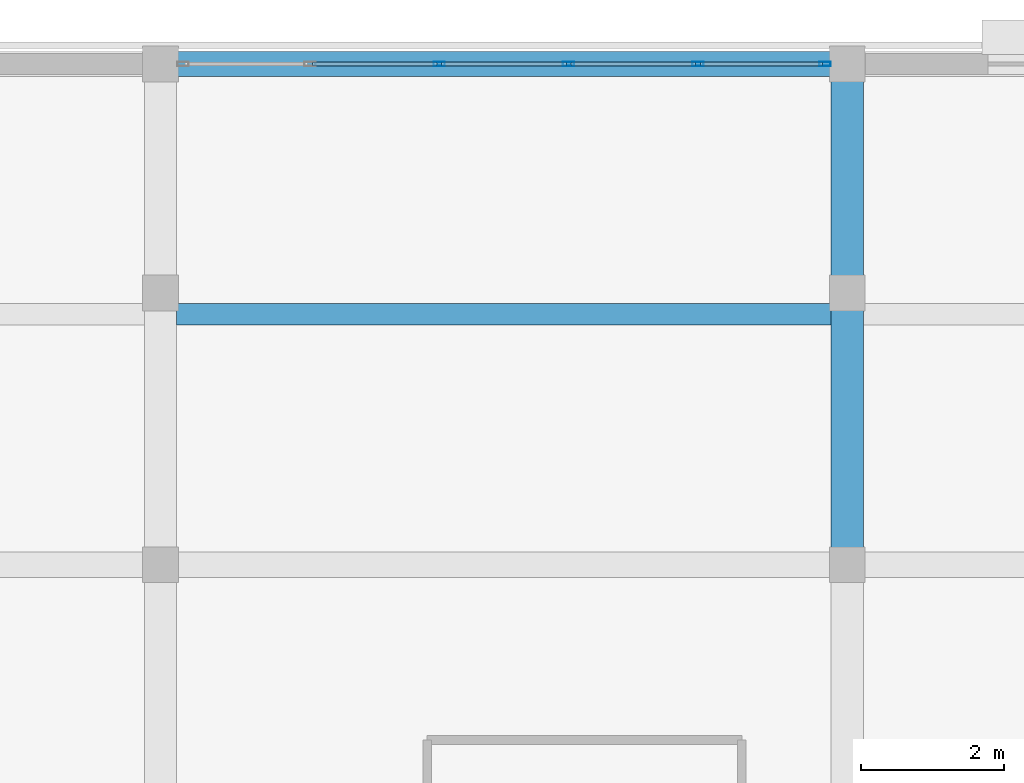
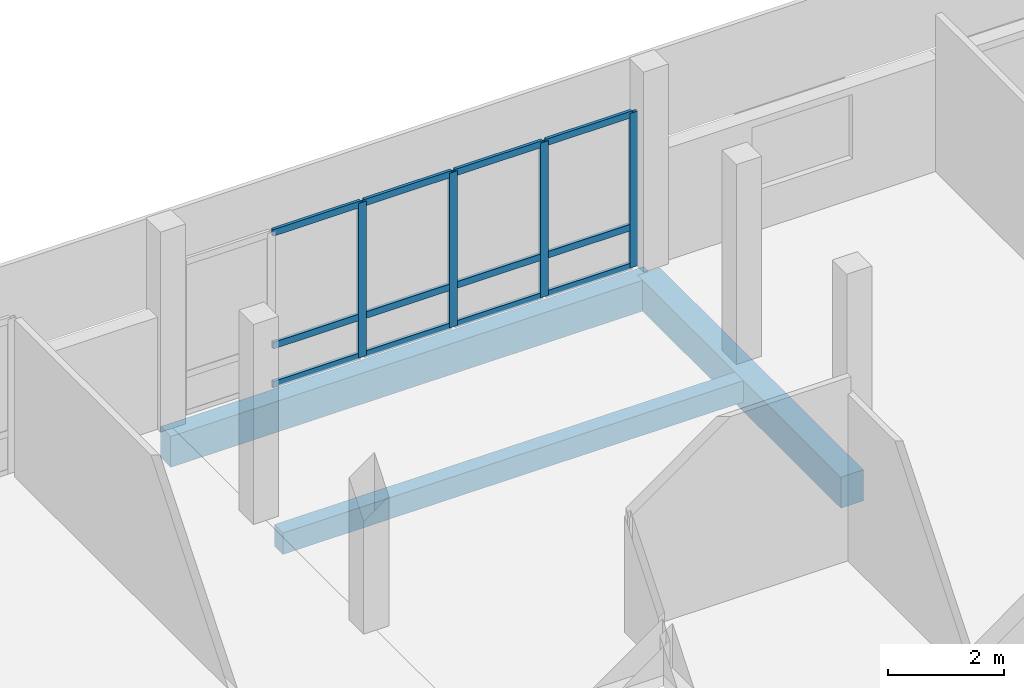
# One storey, part 16 of 29: 16 members, 3 beams, 1 element without a shape of its own.
"""IFC4 building model written with IfcOpenShell, lengths in metres."""

from ifc_helpers import new_model, si_unit, direction, frame, origin, origin_2d, place, context, subcontext, project, spatial, rectangle, hollow_rectangle, extrude, material, material_profile, profile_set, type_object, element, aggregate, save


model = new_model("IFC4")

# Units and contexts
model_context = context("Model", 3, precision=1e-05, world=origin(), true_north=direction((0.0, 1.0)))
body_context = subcontext(model_context, "Body", "Model", "MODEL_VIEW")
ifc_project = project(units=[si_unit("LENGTHUNIT", "METRE"), si_unit("AREAUNIT", "SQUARE_METRE"), si_unit("VOLUMEUNIT", "CUBIC_METRE"), si_unit("PLANEANGLEUNIT", "RADIAN"), si_unit("MASSUNIT", "GRAM", prefix="KILO")], contexts=[model_context])

# Site, building, storey
site_placement = place(None, origin())
site = spatial("IfcSite", under=ifc_project, at=site_placement, CompositionType="ELEMENT")
building_placement = place(site_placement, origin())
building = spatial("IfcBuilding", under=site, at=building_placement, Name="Vondelvale Polytechnic", CompositionType="ELEMENT")
storey_placement = place(building_placement, frame((0.0, 0.0, 26.39990234375)))
storey = spatial("IfcBuildingStorey", under=building, at=storey_placement, Name="L06", CompositionType="ELEMENT", Elevation=26.39990234375)

# Beam
ifc_material_1 = material(Name="Concrete N40 (f'c = 40 MPa)", Category="concrete")
ifc_material_profile_1 = material_profile(ifc_material_1, rectangle(XDim=0.449951171875, YDim=0.64990234375, at=origin_2d()), Name="RC-BM-450x650")
ifc_profile_set_1 = profile_set([ifc_material_profile_1], Name="Concrete N40 (f'c = 40 MPa)")
beam_type_1 = type_object("IfcBeamType", Name="BM-RC450x650", PredefinedType="BEAM", material=ifc_profile_set_1)
beam_1_placement = place(storey_placement, frame((28.800048828125, 30.60009765625, -0.5498046875), z_axis=(0.0, 1.0, 0.0), x_axis=(-1.0, 0.0, 0.0)))
element("IfcBeam", 1, at=beam_1_placement, inside=storey, type_object=beam_type_1, Name="L06 B B-04", PredefinedType="BEAM", context=body_context, shape_type="SweptSolid", body=[
    extrude(rectangle(XDim=0.449951171875, YDim=0.64990234375, at=origin_2d()), origin(), (0.0, 0.0, 1.0), 7.0),
])

# Curtain wall, members
ifc_material_2 = material(Name="Anodised extruded aluminium 6063-T6", Category="aluminium")
curtain_wall_type = type_object("IfcCurtainWallType", Name="CW-STUDIO-NORTH", PredefinedType="NOTDEFINED", material=ifc_material_2)
curtain_wall_placement = place(storey_placement, origin())
curtain_wall = element("IfcCurtainWall", 2, at=curtain_wall_placement, inside=storey, type_object=curtain_wall_type, Name="L06 architectural curtain wall CW-01-055", PredefinedType="NOTDEFINED")
ifc_material_profile_2 = material_profile(ifc_material_2, hollow_rectangle(XDim=0.06494140625, YDim=0.159912109375, WallThickness=0.0048828125, at=origin_2d()), Name="CW-MUL-160x65")
ifc_profile_set_2 = profile_set([ifc_material_profile_2], Name="Anodised extruded aluminium 6063-T6")
member_type_1 = type_object("IfcMemberType", Name="CW-MUL-65x160", PredefinedType="MULLION", material=ifc_profile_set_2)
member_1_placement = place(storey_placement, frame((23.095947265625, 37.60009765625, 0.0), z_axis=(0.0, 0.0, 1.0), x_axis=(0.0, 1.0, 0.0)))
member_1 = element("IfcMember", 3, at=member_1_placement, type_object=member_type_1, Name="CW-01-055 mullion 3", PredefinedType="MULLION", context=body_context, shape_type="SweptSolid", body=[
    extrude(hollow_rectangle(XDim=0.06494140625, YDim=0.159912109375, WallThickness=0.0048828125, at=origin_2d()), origin(), (0.0, 0.0, 1.0), 3.25),
])
member_2_placement = place(storey_placement, frame((24.904052734375, 37.60009765625, 0.0), z_axis=(0.0, 0.0, 1.0), x_axis=(0.0, 1.0, 0.0)))
member_2 = element("IfcMember", 4, at=member_2_placement, type_object=member_type_1, Name="CW-01-055 mullion 4", PredefinedType="MULLION", context=body_context, shape_type="SweptSolid", body=[
    extrude(hollow_rectangle(XDim=0.06494140625, YDim=0.159912109375, WallThickness=0.0048828125, at=origin_2d()), origin(), (0.0, 0.0, 1.0), 3.25),
])
member_3_placement = place(storey_placement, frame((26.7119140625, 37.60009765625, 0.0), z_axis=(0.0, 0.0, 1.0), x_axis=(0.0, 1.0, 0.0)))
member_3 = element("IfcMember", 5, at=member_3_placement, type_object=member_type_1, Name="CW-01-055 mullion 5", PredefinedType="MULLION", context=body_context, shape_type="SweptSolid", body=[
    extrude(hollow_rectangle(XDim=0.06494140625, YDim=0.159912109375, WallThickness=0.0048828125, at=origin_2d()), origin(), (0.0, 0.0, 1.0), 3.25),
])
member_4_placement = place(storey_placement, frame((28.487548828125, 37.60009765625, 0.0), z_axis=(0.0, 0.0, 1.0), x_axis=(0.0, 1.0, 0.0)))
member_4 = element("IfcMember", 6, at=member_4_placement, type_object=member_type_1, Name="CW-01-055 mullion 6", PredefinedType="MULLION", context=body_context, shape_type="SweptSolid", body=[
    extrude(hollow_rectangle(XDim=0.06494140625, YDim=0.159912109375, WallThickness=0.0048828125, at=origin_2d()), origin(), (0.0, 0.0, 1.0), 3.25),
])
ifc_material_profile_3 = material_profile(ifc_material_2, hollow_rectangle(XDim=0.06005859375, YDim=0.139892578125, WallThickness=0.00341796875, at=origin_2d()), Name="CW-TRN-140x60")
ifc_profile_set_3 = profile_set([ifc_material_profile_3], Name="Anodised extruded aluminium 6063-T6")
member_type_2 = type_object("IfcMemberType", Name="CW-TRN-60x140", PredefinedType="USERDEFINED", material=ifc_profile_set_3)
member_5_placement = place(storey_placement, frame((21.320556640625, 37.60009765625, 0.030029296875), z_axis=(1.0, 0.0, 0.0), x_axis=(0.0, 1.0, 0.0)))
member_5 = element("IfcMember", 7, at=member_5_placement, type_object=member_type_2, Name="CW-01-055 transom 2.1", ObjectType="TRANSOM", PredefinedType="USERDEFINED", context=body_context, shape_type="SweptSolid", body=[
    extrude(hollow_rectangle(XDim=0.06005859375, YDim=0.139892578125, WallThickness=0.00341796875, at=origin_2d()), origin(), (0.0, 0.0, 1.0), 1.742919921875),
])
member_6_placement = place(storey_placement, frame((21.320556640625, 37.60009765625, 0.85009765625), z_axis=(1.0, 0.0, 0.0), x_axis=(0.0, 1.0, 0.0)))
member_6 = element("IfcMember", 8, at=member_6_placement, type_object=member_type_2, Name="CW-01-055 transom 2.2", ObjectType="TRANSOM", PredefinedType="USERDEFINED", context=body_context, shape_type="SweptSolid", body=[
    extrude(hollow_rectangle(XDim=0.06005859375, YDim=0.139892578125, WallThickness=0.00341796875, at=origin_2d()), origin(), (0.0, 0.0, 1.0), 1.742919921875),
])
member_7_placement = place(storey_placement, frame((21.320556640625, 37.60009765625, 3.22021484375), z_axis=(1.0, 0.0, 0.0), x_axis=(0.0, 1.0, 0.0)))
member_7 = element("IfcMember", 9, at=member_7_placement, type_object=member_type_2, Name="CW-01-055 transom 2.3", ObjectType="TRANSOM", PredefinedType="USERDEFINED", context=body_context, shape_type="SweptSolid", body=[
    extrude(hollow_rectangle(XDim=0.06005859375, YDim=0.139892578125, WallThickness=0.00341796875, at=origin_2d()), origin(), (0.0, 0.0, 1.0), 1.742919921875),
])
member_8_placement = place(storey_placement, frame((23.12841796875, 37.60009765625, 0.030029296875), z_axis=(1.0, 0.0, 0.0), x_axis=(0.0, 1.0, 0.0)))
member_8 = element("IfcMember", 10, at=member_8_placement, type_object=member_type_2, Name="CW-01-055 transom 3.1", ObjectType="TRANSOM", PredefinedType="USERDEFINED", context=body_context, shape_type="SweptSolid", body=[
    extrude(hollow_rectangle(XDim=0.06005859375, YDim=0.139892578125, WallThickness=0.00341796875, at=origin_2d()), origin(), (0.0, 0.0, 1.0), 1.7431640625),
])
member_9_placement = place(storey_placement, frame((23.12841796875, 37.60009765625, 0.85009765625), z_axis=(1.0, 0.0, 0.0), x_axis=(0.0, 1.0, 0.0)))
member_9 = element("IfcMember", 11, at=member_9_placement, type_object=member_type_2, Name="CW-01-055 transom 3.2", ObjectType="TRANSOM", PredefinedType="USERDEFINED", context=body_context, shape_type="SweptSolid", body=[
    extrude(hollow_rectangle(XDim=0.06005859375, YDim=0.139892578125, WallThickness=0.00341796875, at=origin_2d()), origin(), (0.0, 0.0, 1.0), 1.7431640625),
])
member_10_placement = place(storey_placement, frame((23.12841796875, 37.60009765625, 3.22021484375), z_axis=(1.0, 0.0, 0.0), x_axis=(0.0, 1.0, 0.0)))
member_10 = element("IfcMember", 12, at=member_10_placement, type_object=member_type_2, Name="CW-01-055 transom 3.3", ObjectType="TRANSOM", PredefinedType="USERDEFINED", context=body_context, shape_type="SweptSolid", body=[
    extrude(hollow_rectangle(XDim=0.06005859375, YDim=0.139892578125, WallThickness=0.00341796875, at=origin_2d()), origin(), (0.0, 0.0, 1.0), 1.7431640625),
])
member_11_placement = place(storey_placement, frame((24.9365234375, 37.60009765625, 0.030029296875), z_axis=(1.0, 0.0, 0.0), x_axis=(0.0, 1.0, 0.0)))
member_11 = element("IfcMember", 13, at=member_11_placement, type_object=member_type_2, Name="CW-01-055 transom 4.1", ObjectType="TRANSOM", PredefinedType="USERDEFINED", context=body_context, shape_type="SweptSolid", body=[
    extrude(hollow_rectangle(XDim=0.06005859375, YDim=0.139892578125, WallThickness=0.00341796875, at=origin_2d()), origin(), (0.0, 0.0, 1.0), 1.742919921875),
])
member_12_placement = place(storey_placement, frame((24.9365234375, 37.60009765625, 0.85009765625), z_axis=(1.0, 0.0, 0.0), x_axis=(0.0, 1.0, 0.0)))
member_12 = element("IfcMember", 14, at=member_12_placement, type_object=member_type_2, Name="CW-01-055 transom 4.2", ObjectType="TRANSOM", PredefinedType="USERDEFINED", context=body_context, shape_type="SweptSolid", body=[
    extrude(hollow_rectangle(XDim=0.06005859375, YDim=0.139892578125, WallThickness=0.00341796875, at=origin_2d()), origin(), (0.0, 0.0, 1.0), 1.742919921875),
])
member_13_placement = place(storey_placement, frame((24.9365234375, 37.60009765625, 3.22021484375), z_axis=(1.0, 0.0, 0.0), x_axis=(0.0, 1.0, 0.0)))
member_13 = element("IfcMember", 15, at=member_13_placement, type_object=member_type_2, Name="CW-01-055 transom 4.3", ObjectType="TRANSOM", PredefinedType="USERDEFINED", context=body_context, shape_type="SweptSolid", body=[
    extrude(hollow_rectangle(XDim=0.06005859375, YDim=0.139892578125, WallThickness=0.00341796875, at=origin_2d()), origin(), (0.0, 0.0, 1.0), 1.742919921875),
])
member_14_placement = place(storey_placement, frame((26.744384765625, 37.60009765625, 0.030029296875), z_axis=(1.0, 0.0, 0.0), x_axis=(0.0, 1.0, 0.0)))
member_14 = element("IfcMember", 16, at=member_14_placement, type_object=member_type_2, Name="CW-01-055 transom 5.1", ObjectType="TRANSOM", PredefinedType="USERDEFINED", context=body_context, shape_type="SweptSolid", body=[
    extrude(hollow_rectangle(XDim=0.06005859375, YDim=0.139892578125, WallThickness=0.00341796875, at=origin_2d()), origin(), (0.0, 0.0, 1.0), 1.710693359375),
])
member_15_placement = place(storey_placement, frame((26.744384765625, 37.60009765625, 0.85009765625), z_axis=(1.0, 0.0, 0.0), x_axis=(0.0, 1.0, 0.0)))
member_15 = element("IfcMember", 17, at=member_15_placement, type_object=member_type_2, Name="CW-01-055 transom 5.2", ObjectType="TRANSOM", PredefinedType="USERDEFINED", context=body_context, shape_type="SweptSolid", body=[
    extrude(hollow_rectangle(XDim=0.06005859375, YDim=0.139892578125, WallThickness=0.00341796875, at=origin_2d()), origin(), (0.0, 0.0, 1.0), 1.710693359375),
])
member_16_placement = place(storey_placement, frame((26.744384765625, 37.60009765625, 3.22021484375), z_axis=(1.0, 0.0, 0.0), x_axis=(0.0, 1.0, 0.0)))
member_16 = element("IfcMember", 18, at=member_16_placement, type_object=member_type_2, Name="CW-01-055 transom 5.3", ObjectType="TRANSOM", PredefinedType="USERDEFINED", context=body_context, shape_type="SweptSolid", body=[
    extrude(hollow_rectangle(XDim=0.06005859375, YDim=0.139892578125, WallThickness=0.00341796875, at=origin_2d()), origin(), (0.0, 0.0, 1.0), 1.710693359375),
])
aggregate(curtain_wall, [member_1, member_2, member_3, member_4, member_5, member_6, member_7, member_8, member_9, member_10, member_11, member_12, member_13, member_14, member_15, member_16])

# Beams
ifc_material_profile_4 = material_profile(ifc_material_1, rectangle(XDim=0.300048828125, YDim=0.449951171875, at=origin_2d()), Name="RC-JST-300x450")
ifc_profile_set_4 = profile_set([ifc_material_profile_4], Name="Concrete N40 (f'c = 40 MPa)")
beam_type_2 = type_object("IfcBeamType", Name="JST-RC300x450", PredefinedType="JOIST", material=ifc_profile_set_4)
beam_2_placement = place(storey_placement, frame((19.425048828125, 34.10009765625, -0.449951171875), z_axis=(1.0, 0.0, 0.0), x_axis=(0.0, 1.0, 0.0)))
element("IfcBeam", 19, at=beam_2_placement, inside=storey, type_object=beam_type_2, Name="L06 J J-03", PredefinedType="JOIST", context=body_context, shape_type="SweptSolid", body=[
    extrude(rectangle(XDim=0.300048828125, YDim=0.449951171875, at=origin_2d()), origin(), (0.0, 0.0, 1.0), 9.14990234375),
])
ifc_material_3 = material(Name="Precast concrete N40 (f'c = 40 MPa)", Category="concrete")
ifc_material_profile_5 = material_profile(ifc_material_3, rectangle(XDim=0.35009765625, YDim=0.64990234375, at=origin_2d()), Name="RC-SPN-350x650")
ifc_profile_set_5 = profile_set([ifc_material_profile_5], Name="Precast concrete N40 (f'c = 40 MPa)")
beam_type_3 = type_object("IfcBeamType", Name="SPN-PRE350x650", PredefinedType="SPANDREL", material=ifc_profile_set_5)
beam_3_placement = place(storey_placement, frame((19.199951171875, 37.60009765625, -0.5498046875), z_axis=(1.0, 0.0, 0.0), x_axis=(0.0, 1.0, 0.0)))
element("IfcBeam", 20, at=beam_3_placement, inside=storey, type_object=beam_type_3, Name="L06 B SP-02", PredefinedType="SPANDREL", context=body_context, shape_type="SweptSolid", body=[
    extrude(rectangle(XDim=0.35009765625, YDim=0.64990234375, at=origin_2d()), origin(), (0.0, 0.0, 1.0), 9.60009765625),
])

save(model, "model.ifc")
